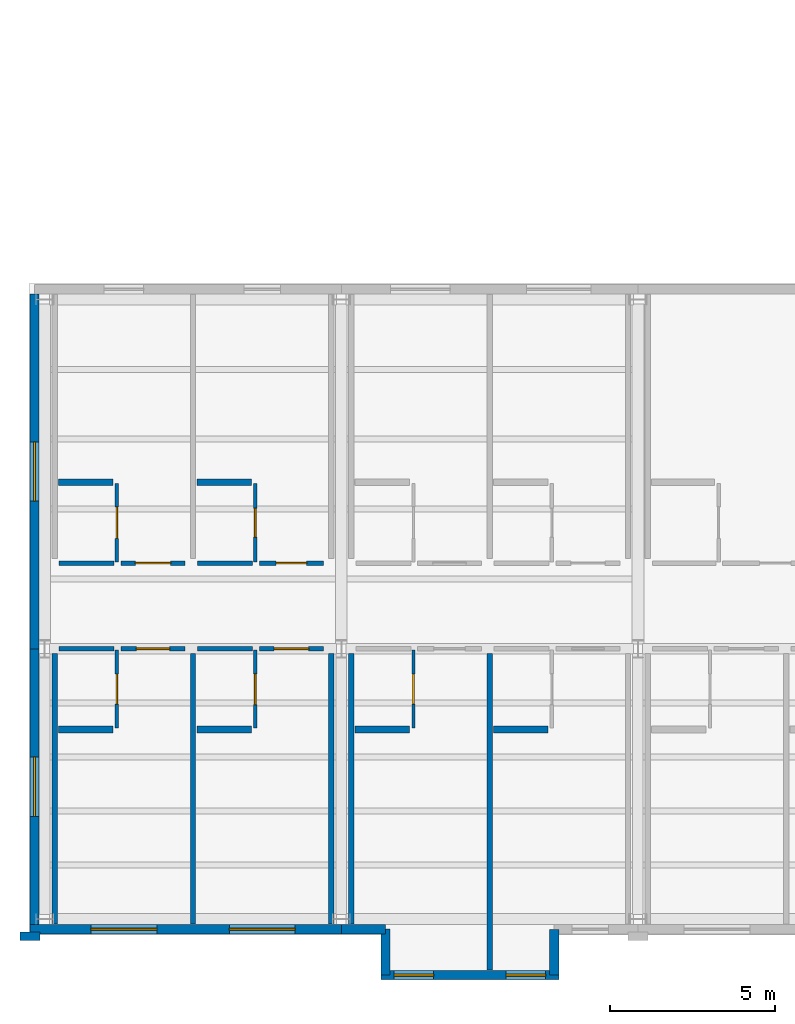
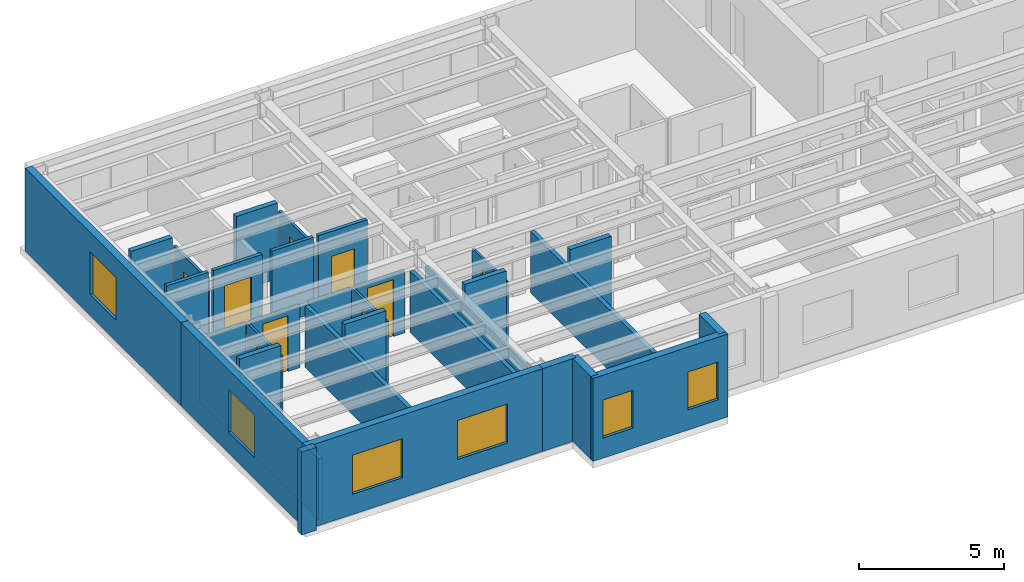
# One storey, part 7 of 17: 32 walls, 9 doors, 6 windows, 15 openings.
"""IFC4 building model written with IfcOpenShell, lengths in metres."""

from ifc_helpers import new_model, si_unit, direction, frame, frame_2d, origin, place, context, subcontext, project, spatial, rectangle, extrude, material, layer, layer_set, type_object, element, fill, save


model = new_model("IFC4")

# Units and contexts
model_context = context("Model", 3, precision=1e-05, world=origin(), true_north=direction((0.0, 1.0)))
body_context = subcontext(model_context, "Body", "Model", "MODEL_VIEW")
ifc_project = project(units=[si_unit("LENGTHUNIT", "METRE"), si_unit("AREAUNIT", "SQUARE_METRE"), si_unit("VOLUMEUNIT", "CUBIC_METRE"), si_unit("PLANEANGLEUNIT", "RADIAN"), si_unit("MASSUNIT", "GRAM", prefix="KILO")], contexts=[model_context])

# Site, building, storey
site_placement = place(None, origin())
site = spatial("IfcSite", under=ifc_project, at=site_placement, CompositionType="ELEMENT")
building_placement = place(site_placement, origin())
building = spatial("IfcBuilding", under=site, at=building_placement, Name="Sollismere Congress Hotel", CompositionType="ELEMENT")
storey_placement = place(building_placement, frame((0.0, 0.0, 37.60009765625)))
storey = spatial("IfcBuildingStorey", under=building, at=storey_placement, Name="L09", CompositionType="ELEMENT", Elevation=37.60009765625)

# Wall, openings, windows
ifc_material_1 = material(Name="Colorado Buff Sandstone Rainscreen on Insulated Backup", Category="masonry")
ifc_layer_1 = layer(ifc_material_1, 0.284912109375, Name="Colorado Buff Sandstone Rainscreen on Insulated Backup")
ifc_layer_set_1 = layer_set([ifc_layer_1], Name="Colorado Buff Sandstone Rainscreen on Insulated Backup")
wall_type_1 = type_object("IfcWallType", Name="WL-EXT285", PredefinedType="STANDARD", material=ifc_layer_set_1)
wall_1_placement = place(storey_placement, frame((66.550048828125, -0.31005859375, 0.0), z_axis=(0.0, 0.0, 1.0), x_axis=(1.0, 0.0, 0.0)))
wall_1 = element("IfcWall", 1, at=wall_1_placement, inside=storey, type_object=wall_type_1, Name="Exterior wall EW-L09-876", PredefinedType="STANDARD", context=body_context, shape_type="SweptSolid", body=[
    extrude(rectangle(XDim=9.449951171875, YDim=0.284912109375, at=frame_2d((4.72509765625, 0.0))), origin(), (0.0, 0.0, 1.0), 3.5),
])
opening_1_placement = place(wall_1_placement, frame((1.85009765625, 0.0, 0.85009765625)))
opening_1 = element("IfcOpeningElement", 2, at=opening_1_placement, cuts=wall_1, Name="Opening W-L09-631", PredefinedType="OPENING", context=body_context, shape_type="SweptSolid", body=[
    extrude(rectangle(XDim=2.0, YDim=1.64990234375, at=frame_2d((1.0, 0.824951171875))), frame((0.0, 0.15234375, 0.0), z_axis=(0.0, -1.0, 0.0), x_axis=(1.0, 0.0, 0.0)), (0.0, 0.0, 1.0), 0.304931640625),
])
opening_2_placement = place(wall_1_placement, frame((6.050048828125, 0.0, 0.85009765625)))
opening_2 = element("IfcOpeningElement", 3, at=opening_2_placement, cuts=wall_1, Name="Opening W-L09-632", PredefinedType="OPENING", context=body_context, shape_type="SweptSolid", body=[
    extrude(rectangle(XDim=2.0, YDim=1.64990234375, at=frame_2d((1.0, 0.824951171875))), frame((0.0, 0.15234375, 0.0), z_axis=(0.0, -1.0, 0.0), x_axis=(1.0, 0.0, 0.0)), (0.0, 0.0, 1.0), 0.304931640625),
])
ifc_material_2 = material(Name="Thermally Broken Bronze Aluminum & Low-E Glass", Category="aluminium")
window_type_1 = type_object("IfcWindowType", Name="WN-P200x165", PartitioningType="SINGLE_PANEL", PredefinedType="WINDOW", material=ifc_material_2)
window_1_placement = place(opening_1_placement, origin())
window_1 = element("IfcWindow", 4, at=window_1_placement, inside=storey, type_object=window_type_1, Name="WIN-W-L09-631", OverallHeight=1.64990234375, OverallWidth=2.0, PartitioningType="SINGLE_PANEL", PredefinedType="WINDOW", context=body_context, shape_type="SweptSolid", body=[
    extrude(rectangle(XDim=2.0, YDim=1.64990234375, at=frame_2d((1.0, 0.824951171875))), frame((0.0, 0.030029296875, 0.0), z_axis=(0.0, -1.0, 0.0), x_axis=(1.0, 0.0, 0.0)), (0.0, 0.0, 1.0), 0.06005859375),
])
fill(opening_1, window_1)
window_2_placement = place(opening_2_placement, origin())
window_2 = element("IfcWindow", 5, at=window_2_placement, inside=storey, type_object=window_type_1, Name="WIN-W-L09-632", OverallHeight=1.64990234375, OverallWidth=2.0, PartitioningType="SINGLE_PANEL", PredefinedType="WINDOW", context=body_context, shape_type="SweptSolid", body=[
    extrude(rectangle(XDim=2.0, YDim=1.64990234375, at=frame_2d((1.0, 0.824951171875))), frame((0.0, 0.030029296875, 0.0), z_axis=(0.0, -1.0, 0.0), x_axis=(1.0, 0.0, 0.0)), (0.0, 0.0, 1.0), 0.06005859375),
])
fill(opening_2, window_2)

# Wall
wall_2_placement = place(storey_placement, frame((76.0, -0.31005859375, 0.0), z_axis=(0.0, 0.0, 1.0), x_axis=(1.0, 0.0, 0.0)))
element("IfcWall", 6, at=wall_2_placement, inside=storey, type_object=wall_type_1, Name="Exterior wall EW-L09-878", PredefinedType="STANDARD", context=body_context, shape_type="SweptSolid", body=[
    extrude(rectangle(XDim=1.340087890625, YDim=0.284912109375, at=frame_2d((0.669921875, 0.0))), origin(), (0.0, 0.0, 1.0), 3.5),
])

# Wall, openings, windows
wall_3_placement = place(storey_placement, frame((77.199951171875, -1.699951171875, 0.0), z_axis=(0.0, 0.0, 1.0), x_axis=(1.0, 0.0, 0.0)))
wall_3 = element("IfcWall", 7, at=wall_3_placement, inside=storey, type_object=wall_type_1, Name="Exterior wall EW-L09-880", PredefinedType="STANDARD", context=body_context, shape_type="SweptSolid", body=[
    extrude(rectangle(XDim=5.400146484375, YDim=0.284912109375, at=frame_2d((2.7001953125, 0.0))), origin(), (0.0, 0.0, 1.0), 3.5),
])
opening_3_placement = place(wall_3_placement, frame((0.39990234375, 0.0, 0.85009765625)))
opening_3 = element("IfcOpeningElement", 8, at=opening_3_placement, cuts=wall_3, Name="Opening W-L09-634", PredefinedType="OPENING", context=body_context, shape_type="SweptSolid", body=[
    extrude(rectangle(XDim=1.199951171875, YDim=1.60009765625, at=frame_2d((0.60009765625, 0.800048828125))), frame((0.0, 0.15234375, 0.0), z_axis=(0.0, -1.0, 0.0), x_axis=(1.0, 0.0, 0.0)), (0.0, 0.0, 1.0), 0.304931640625),
])
opening_4_placement = place(wall_3_placement, frame((3.800048828125, 0.0, 0.85009765625)))
opening_4 = element("IfcOpeningElement", 9, at=opening_4_placement, cuts=wall_3, Name="Opening W-L09-635", PredefinedType="OPENING", context=body_context, shape_type="SweptSolid", body=[
    extrude(rectangle(XDim=1.199951171875, YDim=1.60009765625, at=frame_2d((0.60009765625, 0.800048828125))), frame((0.0, 0.15234375, 0.0), z_axis=(0.0, -1.0, 0.0), x_axis=(1.0, 0.0, 0.0)), (0.0, 0.0, 1.0), 0.304931640625),
])
window_type_2 = type_object("IfcWindowType", Name="WN-P120x160", PartitioningType="SINGLE_PANEL", PredefinedType="WINDOW", material=ifc_material_2)
window_3_placement = place(opening_3_placement, origin())
window_3 = element("IfcWindow", 10, at=window_3_placement, inside=storey, type_object=window_type_2, Name="WIN-W-L09-634", OverallHeight=1.60009765625, OverallWidth=1.199951171875, PartitioningType="SINGLE_PANEL", PredefinedType="WINDOW", context=body_context, shape_type="SweptSolid", body=[
    extrude(rectangle(XDim=1.199951171875, YDim=1.60009765625, at=frame_2d((0.60009765625, 0.800048828125))), frame((0.0, 0.030029296875, 0.0), z_axis=(0.0, -1.0, 0.0), x_axis=(1.0, 0.0, 0.0)), (0.0, 0.0, 1.0), 0.06005859375),
])
fill(opening_3, window_3)
window_4_placement = place(opening_4_placement, origin())
window_4 = element("IfcWindow", 11, at=window_4_placement, inside=storey, type_object=window_type_2, Name="WIN-W-L09-635", OverallHeight=1.60009765625, OverallWidth=1.199951171875, PartitioningType="SINGLE_PANEL", PredefinedType="WINDOW", context=body_context, shape_type="SweptSolid", body=[
    extrude(rectangle(XDim=1.199951171875, YDim=1.60009765625, at=frame_2d((0.60009765625, 0.800048828125))), frame((0.0, 0.030029296875, 0.0), z_axis=(0.0, -1.0, 0.0), x_axis=(1.0, 0.0, 0.0)), (0.0, 0.0, 1.0), 0.06005859375),
])
fill(opening_4, window_4)

# Walls
for number, where, z_axis, x_axis, name in (
    (12, (77.340087890625, -0.31005859375, 0.0), (0.0, 0.0, 1.0), (0.0, -1.0, 0.0), "Exterior wall EW-L09-881"),
    (13, (82.4599609375, -1.699951171875, 0.0), (0.0, 0.0, 1.0), (0.0, 1.0, 0.0), "Exterior wall EW-L09-882"),
):
    element("IfcWall", number, at=place(storey_placement, frame(where, z_axis=z_axis, x_axis=x_axis)), inside=storey, type_object=wall_type_1, Name=name, PredefinedType="STANDARD", context=body_context, shape_type="SweptSolid", body=[
        extrude(rectangle(XDim=1.389892578125, YDim=0.284912109375, at=frame_2d((0.69482421875, 0.0))), origin(), (0.0, 0.0, 1.0), 3.5),
    ])

# Wall, opening, window
wall_4_placement = place(storey_placement, frame((66.68994140625, 8.199951171875, 0.0), z_axis=(0.0, 0.0, 1.0), x_axis=(0.0, -1.0, 0.0)))
wall_4 = element("IfcWall", 14, at=wall_4_placement, inside=storey, type_object=wall_type_1, Name="Exterior wall EW-L09-938", PredefinedType="STANDARD", context=body_context, shape_type="SweptSolid", body=[
    extrude(rectangle(XDim=8.365478515625, YDim=0.284912109375, at=frame_2d((4.1826171875, 0.0))), origin(), (0.0, 0.0, 1.0), 3.5),
])
opening_5_placement = place(wall_4_placement, frame((3.28271484375, 0.0, 0.8798828125)))
opening_5 = element("IfcOpeningElement", 15, at=opening_5_placement, cuts=wall_4, Name="Opening W-L09-670", PredefinedType="OPENING", context=body_context, shape_type="SweptSolid", body=[
    extrude(rectangle(XDim=1.800048828125, YDim=1.800048828125, at=frame_2d((0.89990234375, 0.89990234375))), frame((0.0, 0.15234375, 0.0), z_axis=(0.0, -1.0, 0.0), x_axis=(1.0, 0.0, 0.0)), (0.0, 0.0, 1.0), 0.304931640625),
])
window_type_3 = type_object("IfcWindowType", Name="WN-P180x180", PartitioningType="SINGLE_PANEL", PredefinedType="WINDOW", material=ifc_material_2)
window_5_placement = place(opening_5_placement, origin())
window_5 = element("IfcWindow", 16, at=window_5_placement, inside=storey, type_object=window_type_3, Name="WIN-W-L09-670", OverallHeight=1.800048828125, OverallWidth=1.800048828125, PartitioningType="SINGLE_PANEL", PredefinedType="WINDOW", context=body_context, shape_type="SweptSolid", body=[
    extrude(rectangle(XDim=1.800048828125, YDim=1.800048828125, at=frame_2d((0.89990234375, 0.89990234375))), frame((0.0, 0.030029296875, 0.0), z_axis=(0.0, -1.0, 0.0), x_axis=(1.0, 0.0, 0.0)), (0.0, 0.0, 1.0), 0.06005859375),
])
fill(opening_5, window_5)

wall_5_placement = place(storey_placement, frame((66.68994140625, 18.965576171875, 0.0), z_axis=(0.0, 0.0, 1.0), x_axis=(0.0, -1.0, 0.0)))
wall_5 = element("IfcWall", 17, at=wall_5_placement, inside=storey, type_object=wall_type_1, Name="Exterior wall EW-L09-939", PredefinedType="STANDARD", context=body_context, shape_type="SweptSolid", body=[
    extrude(rectangle(XDim=10.765625, YDim=0.284912109375, at=frame_2d((5.3828125, 0.0))), origin(), (0.0, 0.0, 1.0), 3.5),
])
opening_6_placement = place(wall_5_placement, frame((4.482666015625, 0.0, 0.8798828125)))
opening_6 = element("IfcOpeningElement", 18, at=opening_6_placement, cuts=wall_5, Name="Opening W-L09-671", PredefinedType="OPENING", context=body_context, shape_type="SweptSolid", body=[
    extrude(rectangle(XDim=1.800048828125, YDim=1.800048828125, at=frame_2d((0.89990234375, 0.89990234375))), frame((0.0, 0.15234375, 0.0), z_axis=(0.0, -1.0, 0.0), x_axis=(1.0, 0.0, 0.0)), (0.0, 0.0, 1.0), 0.304931640625),
])
window_6_placement = place(opening_6_placement, origin())
window_6 = element("IfcWindow", 19, at=window_6_placement, inside=storey, type_object=window_type_3, Name="WIN-W-L09-671", OverallHeight=1.800048828125, OverallWidth=1.800048828125, PartitioningType="SINGLE_PANEL", PredefinedType="WINDOW", context=body_context, shape_type="SweptSolid", body=[
    extrude(rectangle(XDim=1.800048828125, YDim=1.800048828125, at=frame_2d((0.89990234375, 0.89990234375))), frame((0.0, 0.030029296875, 0.0), z_axis=(0.0, -1.0, 0.0), x_axis=(1.0, 0.0, 0.0)), (0.0, 0.0, 1.0), 0.06005859375),
])
fill(opening_6, window_6)

# Walls
ifc_material_3 = material(Name="Carved Travertine Pilaster & Frieze Assembly", Category="masonry")
ifc_layer_2 = layer(ifc_material_3, 0.260009765625, Name="Carved Travertine Pilaster & Frieze Assembly")
ifc_layer_set_2 = layer_set([ifc_layer_2], Name="Carved Travertine Pilaster & Frieze Assembly")
wall_type_2 = type_object("IfcWallType", Name="WL-PIL280", PredefinedType="ELEMENTEDWALL", material=ifc_layer_set_2)
wall_6_placement = place(storey_placement, frame((66.25, -0.52001953125, 0.0), z_axis=(0.0, 0.0, 1.0), x_axis=(1.0, 0.0, 0.0)))
element("IfcWall", 20, at=wall_6_placement, inside=storey, type_object=wall_type_2, Name="Exterior wall EW-L09-877", PredefinedType="ELEMENTEDWALL", context=body_context, shape_type="SweptSolid", body=[
    extrude(rectangle(XDim=0.60009765625, YDim=0.260009765625, at=frame_2d((0.300048828125, 0.0))), origin(), (0.0, 0.0, 1.0), 3.5),
])
ifc_material_4 = material(Name="Moisture-Resistant Shaft Gypsum Assembly")
ifc_layer_3 = layer(ifc_material_4, 0.199951171875, Name="Moisture-Resistant Shaft Gypsum Assembly")
ifc_layer_set_3 = layer_set([ifc_layer_3], Name="Moisture-Resistant Shaft Gypsum Assembly")
wall_type_3 = type_object("IfcWallType", Name="WL-PLM200", PredefinedType="PLUMBINGWALL", material=ifc_layer_set_3)
wall_7_placement = place(storey_placement, frame((67.419921875, 5.75, 0.0), z_axis=(0.0, 0.0, 1.0), x_axis=(1.0, 0.0, 0.0)))
element("IfcWall", 21, at=wall_7_placement, inside=storey, type_object=wall_type_3, Name="Interior wall IW-L09-2565", PredefinedType="PLUMBINGWALL", context=body_context, shape_type="SweptSolid", body=[
    extrude(rectangle(XDim=1.650146484375, YDim=0.199951171875, at=frame_2d((0.8251953125, 0.0))), origin(), (0.0, 0.0, 1.0), 3.199951171875),
])
wall_8_placement = place(storey_placement, frame((71.6201171875, 5.75, 0.0), z_axis=(0.0, 0.0, 1.0), x_axis=(1.0, 0.0, 0.0)))
element("IfcWall", 22, at=wall_8_placement, inside=storey, type_object=wall_type_3, Name="Interior wall IW-L09-2570", PredefinedType="PLUMBINGWALL", context=body_context, shape_type="SweptSolid", body=[
    extrude(rectangle(XDim=1.64990234375, YDim=0.199951171875, at=frame_2d((0.824951171875, 0.0))), origin(), (0.0, 0.0, 1.0), 3.199951171875),
])
wall_9_placement = place(storey_placement, frame((67.419921875, 13.25, 0.0), z_axis=(0.0, 0.0, 1.0), x_axis=(1.0, 0.0, 0.0)))
element("IfcWall", 23, at=wall_9_placement, inside=storey, type_object=wall_type_3, Name="Interior wall IW-L09-2576", PredefinedType="PLUMBINGWALL", context=body_context, shape_type="SweptSolid", body=[
    extrude(rectangle(XDim=1.650146484375, YDim=0.199951171875, at=frame_2d((0.8251953125, 0.0))), origin(), (0.0, 0.0, 1.0), 3.199951171875),
])
wall_10_placement = place(storey_placement, frame((71.6201171875, 13.25, 0.0), z_axis=(0.0, 0.0, 1.0), x_axis=(1.0, 0.0, 0.0)))
element("IfcWall", 24, at=wall_10_placement, inside=storey, type_object=wall_type_3, Name="Interior wall IW-L09-2581", PredefinedType="PLUMBINGWALL", context=body_context, shape_type="SweptSolid", body=[
    extrude(rectangle(XDim=1.64990234375, YDim=0.199951171875, at=frame_2d((0.824951171875, 0.0))), origin(), (0.0, 0.0, 1.0), 3.199951171875),
])
wall_11_placement = place(storey_placement, frame((76.419921875, 5.75, 0.0), z_axis=(0.0, 0.0, 1.0), x_axis=(1.0, 0.0, 0.0)))
element("IfcWall", 25, at=wall_11_placement, inside=storey, type_object=wall_type_3, Name="Interior wall IW-L09-2587", PredefinedType="PLUMBINGWALL", context=body_context, shape_type="SweptSolid", body=[
    extrude(rectangle(XDim=1.650146484375, YDim=0.199951171875, at=frame_2d((0.8251953125, 0.0))), origin(), (0.0, 0.0, 1.0), 3.199951171875),
])
wall_12_placement = place(storey_placement, frame((80.6201171875, 5.75, 0.0), z_axis=(0.0, 0.0, 1.0), x_axis=(1.0, 0.0, 0.0)))
element("IfcWall", 26, at=wall_12_placement, inside=storey, type_object=wall_type_3, Name="Interior wall IW-L09-2592", PredefinedType="PLUMBINGWALL", context=body_context, shape_type="SweptSolid", body=[
    extrude(rectangle(XDim=1.64990234375, YDim=0.199951171875, at=frame_2d((0.824951171875, 0.0))), origin(), (0.0, 0.0, 1.0), 3.199951171875),
])

# Wall, opening, door
ifc_material_5 = material(Name="Moisture-Resistant Gypsum Partition")
ifc_layer_4 = layer(ifc_material_5, 0.10009765625, Name="Moisture-Resistant Gypsum Partition")
ifc_layer_set_4 = layer_set([ifc_layer_4], Name="Moisture-Resistant Gypsum Partition")
wall_type_4 = type_object("IfcWallType", Name="WL-PRT100", PredefinedType="PARTITIONING", material=ifc_layer_set_4)
wall_13_placement = place(storey_placement, frame((69.18994140625, 5.7900390625, 0.0), z_axis=(0.0, 0.0, 1.0), x_axis=(0.0, 1.0, 0.0)))
wall_13 = element("IfcWall", 27, at=wall_13_placement, inside=storey, type_object=wall_type_4, Name="Interior wall IW-L09-2564", PredefinedType="PARTITIONING", context=body_context, shape_type="SweptSolid", body=[
    extrude(rectangle(XDim=2.369873046875, YDim=0.10009765625, at=frame_2d((1.18505859375, 0.0))), origin(), (0.0, 0.0, 1.0), 2.61279296875),
])
opening_7_placement = place(wall_13_placement, frame((0.73291015625, 0.0, 0.0)))
opening_7 = element("IfcOpeningElement", 28, at=opening_7_placement, cuts=wall_13, Name="Opening D-L09-0905", PredefinedType="OPENING", context=body_context, shape_type="SweptSolid", body=[
    extrude(rectangle(XDim=0.905029296875, YDim=2.10009765625, at=frame_2d((0.45263671875, 1.050048828125))), frame((0.0, 0.06005859375, 0.0), z_axis=(0.0, -1.0, 0.0), x_axis=(1.0, 0.0, 0.0)), (0.0, 0.0, 1.0), 0.1201171875),
])
ifc_material_6 = material(Name="Moisture-Sealed Timber Bathroom Door", Category="wood")
door_type_1 = type_object("IfcDoorType", Name="DR-BT02", OperationType="NOTDEFINED", PredefinedType="DOOR", material=ifc_material_6)
door_1_placement = place(opening_7_placement, origin())
door_1 = element("IfcDoor", 29, at=door_1_placement, inside=storey, type_object=door_type_1, Name="En-suite bathroom door D-L09-0905", OperationType="SINGLE_SWING_RIGHT", OverallHeight=2.10009765625, OverallWidth=0.905029296875, PredefinedType="DOOR", context=body_context, shape_type="SweptSolid", body=[
    extrude(rectangle(XDim=0.905029296875, YDim=2.10009765625, at=frame_2d((0.45263671875, 1.050048828125))), frame((0.0, 0.02490234375, 0.0), z_axis=(0.0, -1.0, 0.0), x_axis=(1.0, 0.0, 0.0)), (0.0, 0.0, 1.0), 0.050048828125),
])
fill(opening_7, door_1)

wall_14_placement = place(storey_placement, frame((73.389892578125, 5.7900390625, 0.0), z_axis=(0.0, 0.0, 1.0), x_axis=(0.0, 1.0, 0.0)))
wall_14 = element("IfcWall", 30, at=wall_14_placement, inside=storey, type_object=wall_type_4, Name="Interior wall IW-L09-2569", PredefinedType="PARTITIONING", context=body_context, shape_type="SweptSolid", body=[
    extrude(rectangle(XDim=2.369873046875, YDim=0.10009765625, at=frame_2d((1.18505859375, 0.0))), origin(), (0.0, 0.0, 1.0), 2.61279296875),
])
opening_8_placement = place(wall_14_placement, frame((0.719970703125, 0.0, 0.0)))
opening_8 = element("IfcOpeningElement", 31, at=opening_8_placement, cuts=wall_14, Name="Opening D-L09-0907", PredefinedType="OPENING", context=body_context, shape_type="SweptSolid", body=[
    extrude(rectangle(XDim=0.929931640625, YDim=2.139892578125, at=frame_2d((0.46484375, 1.06982421875))), frame((0.0, 0.06005859375, 0.0), z_axis=(0.0, -1.0, 0.0), x_axis=(1.0, 0.0, 0.0)), (0.0, 0.0, 1.0), 0.1201171875),
])
door_type_2 = type_object("IfcDoorType", Name="DR-BT03", OperationType="NOTDEFINED", PredefinedType="DOOR", material=ifc_material_6)
door_2_placement = place(opening_8_placement, origin())
door_2 = element("IfcDoor", 32, at=door_2_placement, inside=storey, type_object=door_type_2, Name="En-suite bathroom door D-L09-0907", OperationType="SINGLE_SWING_RIGHT", OverallHeight=2.139892578125, OverallWidth=0.929931640625, PredefinedType="DOOR", context=body_context, shape_type="SweptSolid", body=[
    extrude(rectangle(XDim=0.929931640625, YDim=2.139892578125, at=frame_2d((0.46484375, 1.06982421875))), frame((0.0, 0.02490234375, 0.0), z_axis=(0.0, -1.0, 0.0), x_axis=(1.0, 0.0, 0.0)), (0.0, 0.0, 1.0), 0.050048828125),
])
fill(opening_8, door_2)

wall_15_placement = place(storey_placement, frame((69.18994140625, 10.840087890625, 0.0), z_axis=(0.0, 0.0, 1.0), x_axis=(0.0, 1.0, 0.0)))
wall_15 = element("IfcWall", 33, at=wall_15_placement, inside=storey, type_object=wall_type_4, Name="Interior wall IW-L09-2575", PredefinedType="PARTITIONING", context=body_context, shape_type="SweptSolid", body=[
    extrude(rectangle(XDim=2.369873046875, YDim=0.10009765625, at=frame_2d((1.18505859375, 0.0))), origin(), (0.0, 0.0, 1.0), 2.807861328125),
])
opening_9_placement = place(wall_15_placement, frame((0.7080078125, 0.0, 0.0)))
opening_9 = element("IfcOpeningElement", 34, at=opening_9_placement, cuts=wall_15, Name="Opening D-L09-0909", PredefinedType="OPENING", context=body_context, shape_type="SweptSolid", body=[
    extrude(rectangle(XDim=0.955078125, YDim=2.139892578125, at=frame_2d((0.4775390625, 1.06982421875))), frame((0.0, 0.06005859375, 0.0), z_axis=(0.0, -1.0, 0.0), x_axis=(1.0, 0.0, 0.0)), (0.0, 0.0, 1.0), 0.1201171875),
])
door_type_3 = type_object("IfcDoorType", Name="DR-BT04", OperationType="NOTDEFINED", PredefinedType="DOOR", material=ifc_material_6)
door_3_placement = place(opening_9_placement, origin())
door_3 = element("IfcDoor", 35, at=door_3_placement, inside=storey, type_object=door_type_3, Name="En-suite bathroom door D-L09-0909", OperationType="SINGLE_SWING_RIGHT", OverallHeight=2.139892578125, OverallWidth=0.955078125, PredefinedType="DOOR", context=body_context, shape_type="SweptSolid", body=[
    extrude(rectangle(XDim=0.955078125, YDim=2.139892578125, at=frame_2d((0.4775390625, 1.06982421875))), frame((0.0, 0.02490234375, 0.0), z_axis=(0.0, -1.0, 0.0), x_axis=(1.0, 0.0, 0.0)), (0.0, 0.0, 1.0), 0.050048828125),
])
fill(opening_9, door_3)

wall_16_placement = place(storey_placement, frame((73.389892578125, 10.840087890625, 0.0), z_axis=(0.0, 0.0, 1.0), x_axis=(0.0, 1.0, 0.0)))
wall_16 = element("IfcWall", 36, at=wall_16_placement, inside=storey, type_object=wall_type_4, Name="Interior wall IW-L09-2580", PredefinedType="PARTITIONING", context=body_context, shape_type="SweptSolid", body=[
    extrude(rectangle(XDim=2.369873046875, YDim=0.10009765625, at=frame_2d((1.18505859375, 0.0))), origin(), (0.0, 0.0, 1.0), 2.807861328125),
])
opening_10_placement = place(wall_16_placement, frame((0.7451171875, 0.0, 0.0)))
opening_10 = element("IfcOpeningElement", 37, at=opening_10_placement, cuts=wall_16, Name="Opening D-L09-0911", PredefinedType="OPENING", context=body_context, shape_type="SweptSolid", body=[
    extrude(rectangle(XDim=0.8798828125, YDim=2.179931640625, at=frame_2d((0.43994140625, 1.08984375))), frame((0.0, 0.06005859375, 0.0), z_axis=(0.0, -1.0, 0.0), x_axis=(1.0, 0.0, 0.0)), (0.0, 0.0, 1.0), 0.1201171875),
])
door_type_4 = type_object("IfcDoorType", Name="DR-BT05", OperationType="NOTDEFINED", PredefinedType="DOOR", material=ifc_material_6)
door_4_placement = place(opening_10_placement, origin())
door_4 = element("IfcDoor", 38, at=door_4_placement, inside=storey, type_object=door_type_4, Name="En-suite bathroom door D-L09-0911", OperationType="SINGLE_SWING_RIGHT", OverallHeight=2.179931640625, OverallWidth=0.8798828125, PredefinedType="DOOR", context=body_context, shape_type="SweptSolid", body=[
    extrude(rectangle(XDim=0.8798828125, YDim=2.179931640625, at=frame_2d((0.43994140625, 1.08984375))), frame((0.0, 0.02490234375, 0.0), z_axis=(0.0, -1.0, 0.0), x_axis=(1.0, 0.0, 0.0)), (0.0, 0.0, 1.0), 0.050048828125),
])
fill(opening_10, door_4)

wall_17_placement = place(storey_placement, frame((78.18994140625, 5.7900390625, 0.0), z_axis=(0.0, 0.0, 1.0), x_axis=(0.0, 1.0, 0.0)))
wall_17 = element("IfcWall", 39, at=wall_17_placement, inside=storey, type_object=wall_type_4, Name="Interior wall IW-L09-2586", PredefinedType="PARTITIONING", context=body_context, shape_type="SweptSolid", body=[
    extrude(rectangle(XDim=2.369873046875, YDim=0.10009765625, at=frame_2d((1.18505859375, 0.0))), origin(), (0.0, 0.0, 1.0), 2.61279296875),
])
opening_11_placement = place(wall_17_placement, frame((0.73291015625, 0.0, 0.0)))
opening_11 = element("IfcOpeningElement", 40, at=opening_11_placement, cuts=wall_17, Name="Opening D-L09-0913", PredefinedType="OPENING", context=body_context, shape_type="SweptSolid", body=[
    extrude(rectangle(XDim=0.905029296875, YDim=2.179931640625, at=frame_2d((0.45263671875, 1.08984375))), frame((0.0, 0.06005859375, 0.0), z_axis=(0.0, -1.0, 0.0), x_axis=(1.0, 0.0, 0.0)), (0.0, 0.0, 1.0), 0.1201171875),
])
door_type_5 = type_object("IfcDoorType", Name="DR-BT06", OperationType="NOTDEFINED", PredefinedType="DOOR", material=ifc_material_6)
door_5_placement = place(opening_11_placement, origin())
door_5 = element("IfcDoor", 41, at=door_5_placement, inside=storey, type_object=door_type_5, Name="En-suite bathroom door D-L09-0913", OperationType="SINGLE_SWING_RIGHT", OverallHeight=2.179931640625, OverallWidth=0.905029296875, PredefinedType="DOOR", context=body_context, shape_type="SweptSolid", body=[
    extrude(rectangle(XDim=0.905029296875, YDim=2.179931640625, at=frame_2d((0.45263671875, 1.08984375))), frame((0.0, 0.02490234375, 0.0), z_axis=(0.0, -1.0, 0.0), x_axis=(1.0, 0.0, 0.0)), (0.0, 0.0, 1.0), 0.050048828125),
])
fill(opening_11, door_5)

# Wall
ifc_material_7 = material(Name="Fire-Rated Gypsum Partition")
ifc_layer_5 = layer(ifc_material_7, 0.139892578125, Name="Fire-Rated Gypsum Partition")
ifc_layer_set_5 = layer_set([ifc_layer_5], Name="Fire-Rated Gypsum Partition")
wall_type_5 = type_object("IfcWallType", Name="WL-PRT140R", PredefinedType="PARTITIONING", material=ifc_layer_set_5)
wall_18_placement = place(storey_placement, frame((67.43994140625, 8.199951171875, 0.0), z_axis=(0.0, 0.0, 1.0), x_axis=(1.0, 0.0, 0.0)))
element("IfcWall", 42, at=wall_18_placement, inside=storey, type_object=wall_type_5, Name="Interior wall IW-L09-2560", PredefinedType="PARTITIONING", context=body_context, shape_type="SweptSolid", body=[
    extrude(rectangle(XDim=1.670166015625, YDim=0.139892578125, at=frame_2d((0.8349609375, 0.0))), origin(), (0.0, 0.0, 1.0), 2.61279296875),
])

# Wall, opening, door
wall_19_placement = place(storey_placement, frame((69.31005859375, 8.199951171875, 0.0), z_axis=(0.0, 0.0, 1.0), x_axis=(1.0, 0.0, 0.0)))
wall_19 = element("IfcWall", 43, at=wall_19_placement, inside=storey, type_object=wall_type_5, Name="Interior wall IW-L09-2561", PredefinedType="PARTITIONING", context=body_context, shape_type="SweptSolid", body=[
    extrude(rectangle(XDim=1.949951171875, YDim=0.139892578125, at=frame_2d((0.97509765625, 0.0))), origin(), (0.0, 0.0, 1.0), 2.61279296875),
])
opening_12_placement = place(wall_19_placement, frame((0.469970703125, 0.0, 0.0)))
opening_12 = element("IfcOpeningElement", 44, at=opening_12_placement, cuts=wall_19, Name="Opening D-L09-0904", PredefinedType="OPENING", context=body_context, shape_type="SweptSolid", body=[
    extrude(rectangle(XDim=1.010009765625, YDim=2.35009765625, at=frame_2d((0.5048828125, 1.175048828125))), frame((0.0, 0.079833984375, 0.0), z_axis=(0.0, -1.0, 0.0), x_axis=(1.0, 0.0, 0.0)), (0.0, 0.0, 1.0), 0.159912109375),
])
ifc_material_8 = material(Name="Solid-Core Acoustic Walnut Guestroom Entry Door")
door_type_6 = type_object("IfcDoorType", Name="DR-KY10", OperationType="NOTDEFINED", PredefinedType="DOOR", material=ifc_material_8)
door_6_placement = place(opening_12_placement, origin())
door_6 = element("IfcDoor", 45, at=door_6_placement, inside=storey, type_object=door_type_6, Name="Hotel room entry door D-L09-0904", OperationType="SINGLE_SWING_LEFT", OverallHeight=2.35009765625, OverallWidth=1.010009765625, PredefinedType="DOOR", context=body_context, shape_type="SweptSolid", body=[
    extrude(rectangle(XDim=1.010009765625, YDim=2.35009765625, at=frame_2d((0.5048828125, 1.175048828125))), frame((0.0, 0.02490234375, 0.0), z_axis=(0.0, -1.0, 0.0), x_axis=(1.0, 0.0, 0.0)), (0.0, 0.0, 1.0), 0.050048828125),
])
fill(opening_12, door_6)

# Wall
wall_20_placement = place(storey_placement, frame((71.639892578125, 8.199951171875, 0.0), z_axis=(0.0, 0.0, 1.0), x_axis=(1.0, 0.0, 0.0)))
element("IfcWall", 46, at=wall_20_placement, inside=storey, type_object=wall_type_5, Name="Interior wall IW-L09-2566", PredefinedType="PARTITIONING", context=body_context, shape_type="SweptSolid", body=[
    extrude(rectangle(XDim=1.670166015625, YDim=0.139892578125, at=frame_2d((0.8349609375, 0.0))), origin(), (0.0, 0.0, 1.0), 2.61279296875),
])

# Wall, opening, door
wall_21_placement = place(storey_placement, frame((73.510009765625, 8.199951171875, 0.0), z_axis=(0.0, 0.0, 1.0), x_axis=(1.0, 0.0, 0.0)))
wall_21 = element("IfcWall", 47, at=wall_21_placement, inside=storey, type_object=wall_type_5, Name="Interior wall IW-L09-2567", PredefinedType="PARTITIONING", context=body_context, shape_type="SweptSolid", body=[
    extrude(rectangle(XDim=1.949951171875, YDim=0.139892578125, at=frame_2d((0.97509765625, 0.0))), origin(), (0.0, 0.0, 1.0), 2.61279296875),
])
opening_13_placement = place(wall_21_placement, frame((0.455078125, 0.0, 0.0)))
opening_13 = element("IfcOpeningElement", 48, at=opening_13_placement, cuts=wall_21, Name="Opening D-L09-0906", PredefinedType="OPENING", context=body_context, shape_type="SweptSolid", body=[
    extrude(rectangle(XDim=1.0400390625, YDim=2.39990234375, at=frame_2d((0.52001953125, 1.199951171875))), frame((0.0, 0.079833984375, 0.0), z_axis=(0.0, -1.0, 0.0), x_axis=(1.0, 0.0, 0.0)), (0.0, 0.0, 1.0), 0.159912109375),
])
door_type_7 = type_object("IfcDoorType", Name="DR-KY11", OperationType="NOTDEFINED", PredefinedType="DOOR", material=ifc_material_8)
door_7_placement = place(opening_13_placement, origin())
door_7 = element("IfcDoor", 49, at=door_7_placement, inside=storey, type_object=door_type_7, Name="Hotel room entry door D-L09-0906", OperationType="SINGLE_SWING_LEFT", OverallHeight=2.39990234375, OverallWidth=1.0400390625, PredefinedType="DOOR", context=body_context, shape_type="SweptSolid", body=[
    extrude(rectangle(XDim=1.0400390625, YDim=2.39990234375, at=frame_2d((0.52001953125, 1.199951171875))), frame((0.0, 0.02490234375, 0.0), z_axis=(0.0, -1.0, 0.0), x_axis=(1.0, 0.0, 0.0)), (0.0, 0.0, 1.0), 0.050048828125),
])
fill(opening_13, door_7)

# Wall
wall_22_placement = place(storey_placement, frame((67.43994140625, 10.800048828125, 0.0), z_axis=(0.0, 0.0, 1.0), x_axis=(1.0, 0.0, 0.0)))
element("IfcWall", 50, at=wall_22_placement, inside=storey, type_object=wall_type_5, Name="Interior wall IW-L09-2571", PredefinedType="PARTITIONING", context=body_context, shape_type="SweptSolid", body=[
    extrude(rectangle(XDim=1.670166015625, YDim=0.139892578125, at=frame_2d((0.8349609375, 0.0))), origin(), (0.0, 0.0, 1.0), 3.199951171875),
])

# Wall, opening, door
wall_23_placement = place(storey_placement, frame((69.31005859375, 10.800048828125, 0.0), z_axis=(0.0, 0.0, 1.0), x_axis=(1.0, 0.0, 0.0)))
wall_23 = element("IfcWall", 51, at=wall_23_placement, inside=storey, type_object=wall_type_5, Name="Interior wall IW-L09-2572", PredefinedType="PARTITIONING", context=body_context, shape_type="SweptSolid", body=[
    extrude(rectangle(XDim=1.949951171875, YDim=0.139892578125, at=frame_2d((0.97509765625, 0.0))), origin(), (0.0, 0.0, 1.0), 3.199951171875),
])
opening_14_placement = place(wall_23_placement, frame((0.43994140625, 0.0, 0.0)))
opening_14 = element("IfcOpeningElement", 52, at=opening_14_placement, cuts=wall_23, Name="Opening D-L09-0908", PredefinedType="OPENING", context=body_context, shape_type="SweptSolid", body=[
    extrude(rectangle(XDim=1.070068359375, YDim=2.39990234375, at=frame_2d((0.53515625, 1.199951171875))), frame((0.0, 0.079833984375, 0.0), z_axis=(0.0, -1.0, 0.0), x_axis=(1.0, 0.0, 0.0)), (0.0, 0.0, 1.0), 0.159912109375),
])
door_type_8 = type_object("IfcDoorType", Name="DR-KY12", OperationType="NOTDEFINED", PredefinedType="DOOR", material=ifc_material_8)
door_8_placement = place(opening_14_placement, origin())
door_8 = element("IfcDoor", 53, at=door_8_placement, inside=storey, type_object=door_type_8, Name="Hotel room entry door D-L09-0908", OperationType="SINGLE_SWING_LEFT", OverallHeight=2.39990234375, OverallWidth=1.070068359375, PredefinedType="DOOR", context=body_context, shape_type="SweptSolid", body=[
    extrude(rectangle(XDim=1.070068359375, YDim=2.39990234375, at=frame_2d((0.53515625, 1.199951171875))), frame((0.0, 0.02490234375, 0.0), z_axis=(0.0, -1.0, 0.0), x_axis=(1.0, 0.0, 0.0)), (0.0, 0.0, 1.0), 0.050048828125),
])
fill(opening_14, door_8)

# Wall
wall_24_placement = place(storey_placement, frame((71.639892578125, 10.800048828125, 0.0), z_axis=(0.0, 0.0, 1.0), x_axis=(1.0, 0.0, 0.0)))
element("IfcWall", 54, at=wall_24_placement, inside=storey, type_object=wall_type_5, Name="Interior wall IW-L09-2577", PredefinedType="PARTITIONING", context=body_context, shape_type="SweptSolid", body=[
    extrude(rectangle(XDim=1.670166015625, YDim=0.139892578125, at=frame_2d((0.8349609375, 0.0))), origin(), (0.0, 0.0, 1.0), 3.199951171875),
])

# Wall, opening, door
wall_25_placement = place(storey_placement, frame((73.510009765625, 10.800048828125, 0.0), z_axis=(0.0, 0.0, 1.0), x_axis=(1.0, 0.0, 0.0)))
wall_25 = element("IfcWall", 55, at=wall_25_placement, inside=storey, type_object=wall_type_5, Name="Interior wall IW-L09-2578", PredefinedType="PARTITIONING", context=body_context, shape_type="SweptSolid", body=[
    extrude(rectangle(XDim=1.949951171875, YDim=0.139892578125, at=frame_2d((0.97509765625, 0.0))), origin(), (0.0, 0.0, 1.0), 3.199951171875),
])
opening_15_placement = place(wall_25_placement, frame((0.514892578125, 0.0, 0.0)))
opening_15 = element("IfcOpeningElement", 56, at=opening_15_placement, cuts=wall_25, Name="Opening D-L09-0910", PredefinedType="OPENING", context=body_context, shape_type="SweptSolid", body=[
    extrude(rectangle(XDim=0.919921875, YDim=2.14990234375, at=frame_2d((0.4599609375, 1.074951171875))), frame((0.0, 0.079833984375, 0.0), z_axis=(0.0, -1.0, 0.0), x_axis=(1.0, 0.0, 0.0)), (0.0, 0.0, 1.0), 0.159912109375),
])
door_type_9 = type_object("IfcDoorType", Name="DR-KY01", OperationType="NOTDEFINED", PredefinedType="DOOR", material=ifc_material_8)
door_9_placement = place(opening_15_placement, origin())
door_9 = element("IfcDoor", 57, at=door_9_placement, inside=storey, type_object=door_type_9, Name="Hotel room entry door D-L09-0910", OperationType="SINGLE_SWING_LEFT", OverallHeight=2.14990234375, OverallWidth=0.919921875, PredefinedType="DOOR", context=body_context, shape_type="SweptSolid", body=[
    extrude(rectangle(XDim=0.919921875, YDim=2.14990234375, at=frame_2d((0.4599609375, 1.074951171875))), frame((0.0, 0.02490234375, 0.0), z_axis=(0.0, -1.0, 0.0), x_axis=(1.0, 0.0, 0.0)), (0.0, 0.0, 1.0), 0.050048828125),
])
fill(opening_15, door_9)

# Walls
ifc_material_9 = material(Name="Fire-Rated Acoustic Gypsum Partition")
ifc_layer_6 = layer(ifc_material_9, 0.1650390625, Name="Fire-Rated Acoustic Gypsum Partition")
ifc_layer_set_6 = layer_set([ifc_layer_6], Name="Fire-Rated Acoustic Gypsum Partition")
wall_type_6 = type_object("IfcWallType", Name="WL-PRT165R", PredefinedType="PARTITIONING", material=ifc_layer_set_6)
for number, where, z_axis, x_axis, name in (
    (58, (67.300048828125, -0.152587890625, 0.0), (0.0, 0.0, 1.0), (0.0, 1.0, 0.0), "Interior wall IW-L09-2562"),
    (59, (71.5, -0.152587890625, 0.0), (0.0, 0.0, 1.0), (0.0, 1.0, 0.0), "Interior wall IW-L09-2563"),
    (60, (75.699951171875, -0.152587890625, 0.0), (0.0, 0.0, 1.0), (0.0, 1.0, 0.0), "Interior wall IW-L09-2568"),
    (61, (76.300048828125, -0.152587890625, 0.0), (0.0, 0.0, 1.0), (0.0, 1.0, 0.0), "Interior wall IW-L09-2584"),
):
    element("IfcWall", number, at=place(storey_placement, frame(where, z_axis=z_axis, x_axis=x_axis)), inside=storey, type_object=wall_type_6, Name=name, PredefinedType="PARTITIONING", context=body_context, shape_type="SweptSolid", body=[
        extrude(rectangle(XDim=8.212646484375, YDim=0.1650390625, at=frame_2d((4.1064453125, 0.0))), origin(), (0.0, 0.0, 1.0), 2.58984375),
    ])
wall_26_placement = place(storey_placement, frame((80.5, -1.54248046875, 0.0), z_axis=(0.0, 0.0, 1.0), x_axis=(0.0, 1.0, 0.0)))
element("IfcWall", 62, at=wall_26_placement, inside=storey, type_object=wall_type_6, Name="Interior wall IW-L09-2585", PredefinedType="PARTITIONING", context=body_context, shape_type="SweptSolid", body=[
    extrude(rectangle(XDim=9.6025390625, YDim=0.1650390625, at=frame_2d((4.80126953125, 0.0))), origin(), (0.0, 0.0, 1.0), 2.58984375),
])

save(model, "model.ifc")
